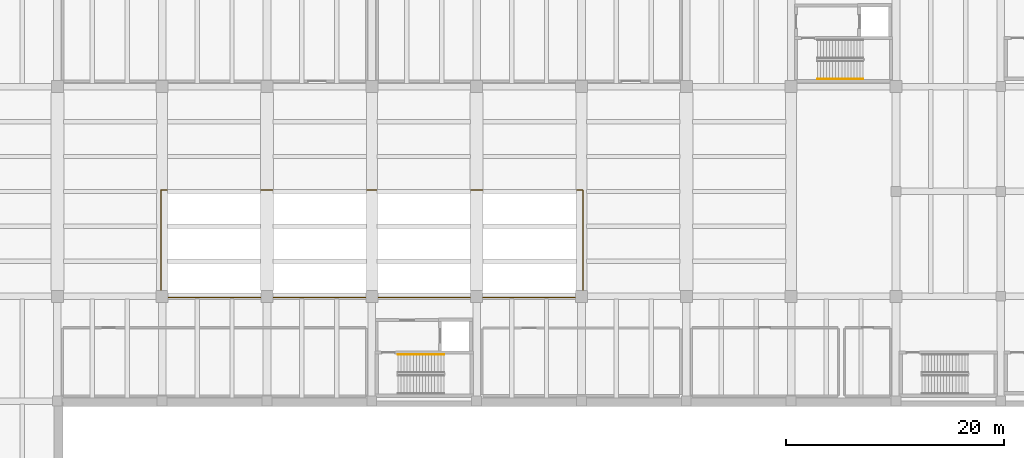
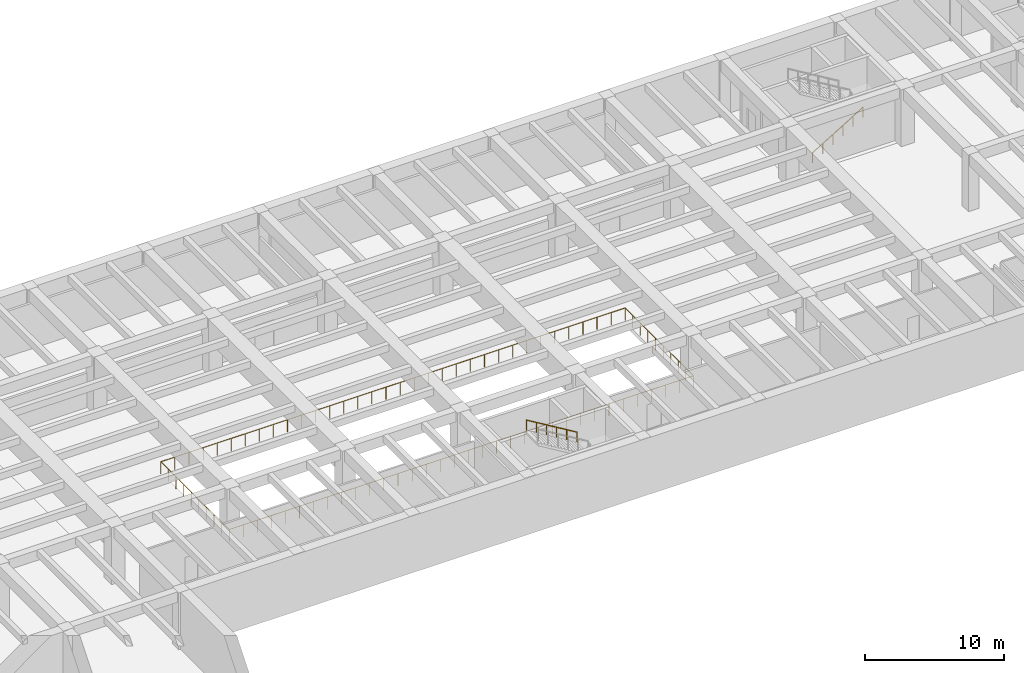
# One storey, part 16 of 19: 3 railings.
"""IFC4 building model written with IfcOpenShell, lengths in metres."""

from ifc_helpers import new_model, si_unit, direction, frame, origin, origin_2d, place, context, subcontext, project, spatial, circle, extrude, material, type_object, element, save


model = new_model("IFC4")

# Units and contexts
model_context = context("Model", 3, precision=1e-05, world=origin(), true_north=direction((0.0, 1.0)))
body_context = subcontext(model_context, "Body", "Model", "MODEL_VIEW")
ifc_project = project(units=[si_unit("LENGTHUNIT", "METRE"), si_unit("AREAUNIT", "SQUARE_METRE"), si_unit("VOLUMEUNIT", "CUBIC_METRE"), si_unit("PLANEANGLEUNIT", "RADIAN"), si_unit("MASSUNIT", "GRAM", prefix="KILO")], contexts=[model_context])

# Site, building, storey
site_placement = place(None, origin())
site = spatial("IfcSite", under=ifc_project, at=site_placement, CompositionType="ELEMENT")
building_placement = place(site_placement, origin())
building = spatial("IfcBuilding", under=site, at=building_placement, Name="Coralgate Yard Interchange", CompositionType="ELEMENT")
storey_placement = place(building_placement, frame((0.0, 0.0, -5.39990234375)))
storey = spatial("IfcBuildingStorey", under=building, at=storey_placement, Name="B1", CompositionType="ELEMENT", Elevation=-5.39990234375)

# Railings
ifc_material_1 = material(Name="Grade 316 marine stainless steel and toughened glass balustrade", Category="steel")
railing_type_1 = type_object("IfcRailingType", Name="RLG-GD1100", PredefinedType="BALUSTRADE", material=ifc_material_1)
railing_1_placement = place(storey_placement, frame((67.080078125, 47.8798828125, 0.0)))
element("IfcRailing", 1, at=railing_1_placement, inside=storey, type_object=railing_type_1, Name="B1 paid concourse platform lightwell balustrade", PredefinedType="BALUSTRADE", context=body_context, shape_type="SweptSolid", body=[
    extrude(circle(Radius=0.02392578125, at=origin_2d()), frame((0.00048828125, 0.0, 1.0810546875), z_axis=(1.0, 0.0, 0.0), x_axis=(0.0, 1.0, 0.0)), (0.0, 0.0, 1.0), 38.638916015625),
    extrude(circle(Radius=0.02392578125, at=origin_2d()), frame((38.639892578125, 0.00048828125, 1.0810546875), z_axis=(0.0, 1.0, 0.0), x_axis=(-1.0, 0.0, 0.0)), (0.0, 0.0, 1.0), 9.839111328125),
    extrude(circle(Radius=0.02392578125, at=origin_2d()), frame((38.639404296875, 9.840087890625, 1.0810546875), z_axis=(-1.0, 0.0, 0.0), x_axis=(0.0, -1.0, 0.0)), (0.0, 0.0, 1.0), 38.638916015625),
    extrude(circle(Radius=0.02392578125, at=origin_2d()), frame((0.0, 9.839599609375, 1.0810546875), z_axis=(0.0, -1.0, 0.0), x_axis=(1.0, 0.0, 0.0)), (0.0, 0.0, 1.0), 9.839111328125),
    extrude(circle(Radius=0.02099609375, at=origin_2d()), origin(), (0.0, 0.0, 1.0), 1.056396484375),
    extrude(circle(Radius=0.02099609375, at=origin_2d()), frame((1.1708984375, 0.0, 0.0)), (0.0, 0.0, 1.0), 1.056396484375),
    extrude(circle(Radius=0.02099609375, at=origin_2d()), frame((2.341796875, 0.0, 0.0)), (0.0, 0.0, 1.0), 1.056396484375),
    extrude(circle(Radius=0.02099609375, at=origin_2d()), frame((3.5126953125, 0.0, 0.0)), (0.0, 0.0, 1.0), 1.056396484375),
    extrude(circle(Radius=0.02099609375, at=origin_2d()), frame((4.68359375, 0.0, 0.0)), (0.0, 0.0, 1.0), 1.056396484375),
    extrude(circle(Radius=0.02099609375, at=origin_2d()), frame((5.8544921875, 0.0, 0.0)), (0.0, 0.0, 1.0), 1.056396484375),
    extrude(circle(Radius=0.02099609375, at=origin_2d()), frame((7.025390625, 0.0, 0.0)), (0.0, 0.0, 1.0), 1.056396484375),
    extrude(circle(Radius=0.02099609375, at=origin_2d()), frame((8.1962890625, 0.0, 0.0)), (0.0, 0.0, 1.0), 1.056396484375),
    extrude(circle(Radius=0.02099609375, at=origin_2d()), frame((9.3671875, 0.0, 0.0)), (0.0, 0.0, 1.0), 1.056396484375),
    extrude(circle(Radius=0.02099609375, at=origin_2d()), frame((10.5380859375, 0.0, 0.0)), (0.0, 0.0, 1.0), 1.056396484375),
    extrude(circle(Radius=0.02099609375, at=origin_2d()), frame((11.708984375, 0.0, 0.0)), (0.0, 0.0, 1.0), 1.056396484375),
    extrude(circle(Radius=0.02099609375, at=origin_2d()), frame((12.8798828125, 0.0, 0.0)), (0.0, 0.0, 1.0), 1.056396484375),
    extrude(circle(Radius=0.02099609375, at=origin_2d()), frame((14.05078125, 0.0, 0.0)), (0.0, 0.0, 1.0), 1.056396484375),
    extrude(circle(Radius=0.02099609375, at=origin_2d()), frame((15.2216796875, 0.0, 0.0)), (0.0, 0.0, 1.0), 1.056396484375),
    extrude(circle(Radius=0.02099609375, at=origin_2d()), frame((16.392578125, 0.0, 0.0)), (0.0, 0.0, 1.0), 1.056396484375),
    extrude(circle(Radius=0.02099609375, at=origin_2d()), frame((17.5634765625, 0.0, 0.0)), (0.0, 0.0, 1.0), 1.056396484375),
    extrude(circle(Radius=0.02099609375, at=origin_2d()), frame((18.734375, 0.0, 0.0)), (0.0, 0.0, 1.0), 1.056396484375),
    extrude(circle(Radius=0.02099609375, at=origin_2d()), frame((19.905517578125, 0.0, 0.0)), (0.0, 0.0, 1.0), 1.056396484375),
    extrude(circle(Radius=0.02099609375, at=origin_2d()), frame((21.076416015625, 0.0, 0.0)), (0.0, 0.0, 1.0), 1.056396484375),
    extrude(circle(Radius=0.02099609375, at=origin_2d()), frame((22.247314453125, 0.0, 0.0)), (0.0, 0.0, 1.0), 1.056396484375),
    extrude(circle(Radius=0.02099609375, at=origin_2d()), frame((23.418212890625, 0.0, 0.0)), (0.0, 0.0, 1.0), 1.056396484375),
    extrude(circle(Radius=0.02099609375, at=origin_2d()), frame((24.589111328125, 0.0, 0.0)), (0.0, 0.0, 1.0), 1.056396484375),
    extrude(circle(Radius=0.02099609375, at=origin_2d()), frame((25.760009765625, 0.0, 0.0)), (0.0, 0.0, 1.0), 1.056396484375),
    extrude(circle(Radius=0.02099609375, at=origin_2d()), frame((26.930908203125, 0.0, 0.0)), (0.0, 0.0, 1.0), 1.056396484375),
    extrude(circle(Radius=0.02099609375, at=origin_2d()), frame((28.101806640625, 0.0, 0.0)), (0.0, 0.0, 1.0), 1.056396484375),
    extrude(circle(Radius=0.02099609375, at=origin_2d()), frame((29.272705078125, 0.0, 0.0)), (0.0, 0.0, 1.0), 1.056396484375),
    extrude(circle(Radius=0.02099609375, at=origin_2d()), frame((30.443603515625, 0.0, 0.0)), (0.0, 0.0, 1.0), 1.056396484375),
    extrude(circle(Radius=0.02099609375, at=origin_2d()), frame((31.614501953125, 0.0, 0.0)), (0.0, 0.0, 1.0), 1.056396484375),
    extrude(circle(Radius=0.02099609375, at=origin_2d()), frame((32.785400390625, 0.0, 0.0)), (0.0, 0.0, 1.0), 1.056396484375),
    extrude(circle(Radius=0.02099609375, at=origin_2d()), frame((33.956298828125, 0.0, 0.0)), (0.0, 0.0, 1.0), 1.056396484375),
    extrude(circle(Radius=0.02099609375, at=origin_2d()), frame((35.127197265625, 0.0, 0.0)), (0.0, 0.0, 1.0), 1.056396484375),
    extrude(circle(Radius=0.02099609375, at=origin_2d()), frame((36.298095703125, 0.0, 0.0)), (0.0, 0.0, 1.0), 1.056396484375),
    extrude(circle(Radius=0.02099609375, at=origin_2d()), frame((37.468994140625, 0.0, 0.0)), (0.0, 0.0, 1.0), 1.056396484375),
    extrude(circle(Radius=0.02099609375, at=origin_2d()), frame((38.639892578125, 0.0, 0.0)), (0.0, 0.0, 1.0), 1.056396484375),
    extrude(circle(Radius=0.02099609375, at=origin_2d()), frame((38.639892578125, 1.09326171875, 0.0)), (0.0, 0.0, 1.0), 1.056396484375),
    extrude(circle(Radius=0.02099609375, at=origin_2d()), frame((38.639892578125, 2.186767578125, 0.0)), (0.0, 0.0, 1.0), 1.056396484375),
    extrude(circle(Radius=0.02099609375, at=origin_2d()), frame((38.639892578125, 3.280029296875, 0.0)), (0.0, 0.0, 1.0), 1.056396484375),
    extrude(circle(Radius=0.02099609375, at=origin_2d()), frame((38.639892578125, 4.373291015625, 0.0)), (0.0, 0.0, 1.0), 1.056396484375),
    extrude(circle(Radius=0.02099609375, at=origin_2d()), frame((38.639892578125, 5.466796875, 0.0)), (0.0, 0.0, 1.0), 1.056396484375),
    extrude(circle(Radius=0.02099609375, at=origin_2d()), frame((38.639892578125, 6.56005859375, 0.0)), (0.0, 0.0, 1.0), 1.056396484375),
    extrude(circle(Radius=0.02099609375, at=origin_2d()), frame((38.639892578125, 7.6533203125, 0.0)), (0.0, 0.0, 1.0), 1.056396484375),
    extrude(circle(Radius=0.02099609375, at=origin_2d()), frame((38.639892578125, 8.746826171875, 0.0)), (0.0, 0.0, 1.0), 1.056396484375),
    extrude(circle(Radius=0.02099609375, at=origin_2d()), frame((38.639892578125, 9.840087890625, 0.0)), (0.0, 0.0, 1.0), 1.056396484375),
    extrude(circle(Radius=0.02099609375, at=origin_2d()), frame((37.468994140625, 9.840087890625, 0.0)), (0.0, 0.0, 1.0), 1.056396484375),
    extrude(circle(Radius=0.02099609375, at=origin_2d()), frame((36.298095703125, 9.840087890625, 0.0)), (0.0, 0.0, 1.0), 1.056396484375),
    extrude(circle(Radius=0.02099609375, at=origin_2d()), frame((35.127197265625, 9.840087890625, 0.0)), (0.0, 0.0, 1.0), 1.056396484375),
    extrude(circle(Radius=0.02099609375, at=origin_2d()), frame((33.956298828125, 9.840087890625, 0.0)), (0.0, 0.0, 1.0), 1.056396484375),
    extrude(circle(Radius=0.02099609375, at=origin_2d()), frame((32.785400390625, 9.840087890625, 0.0)), (0.0, 0.0, 1.0), 1.056396484375),
    extrude(circle(Radius=0.02099609375, at=origin_2d()), frame((31.614501953125, 9.840087890625, 0.0)), (0.0, 0.0, 1.0), 1.056396484375),
    extrude(circle(Radius=0.02099609375, at=origin_2d()), frame((30.443603515625, 9.840087890625, 0.0)), (0.0, 0.0, 1.0), 1.056396484375),
    extrude(circle(Radius=0.02099609375, at=origin_2d()), frame((29.272705078125, 9.840087890625, 0.0)), (0.0, 0.0, 1.0), 1.056396484375),
    extrude(circle(Radius=0.02099609375, at=origin_2d()), frame((28.101806640625, 9.840087890625, 0.0)), (0.0, 0.0, 1.0), 1.056396484375),
    extrude(circle(Radius=0.02099609375, at=origin_2d()), frame((26.930908203125, 9.840087890625, 0.0)), (0.0, 0.0, 1.0), 1.056396484375),
    extrude(circle(Radius=0.02099609375, at=origin_2d()), frame((25.760009765625, 9.840087890625, 0.0)), (0.0, 0.0, 1.0), 1.056396484375),
    extrude(circle(Radius=0.02099609375, at=origin_2d()), frame((24.589111328125, 9.840087890625, 0.0)), (0.0, 0.0, 1.0), 1.056396484375),
    extrude(circle(Radius=0.02099609375, at=origin_2d()), frame((23.418212890625, 9.840087890625, 0.0)), (0.0, 0.0, 1.0), 1.056396484375),
    extrude(circle(Radius=0.02099609375, at=origin_2d()), frame((22.247314453125, 9.840087890625, 0.0)), (0.0, 0.0, 1.0), 1.056396484375),
    extrude(circle(Radius=0.02099609375, at=origin_2d()), frame((21.076416015625, 9.840087890625, 0.0)), (0.0, 0.0, 1.0), 1.056396484375),
    extrude(circle(Radius=0.02099609375, at=origin_2d()), frame((19.905517578125, 9.840087890625, 0.0)), (0.0, 0.0, 1.0), 1.056396484375),
    extrude(circle(Radius=0.02099609375, at=origin_2d()), frame((18.734375, 9.840087890625, 0.0)), (0.0, 0.0, 1.0), 1.056396484375),
    extrude(circle(Radius=0.02099609375, at=origin_2d()), frame((17.5634765625, 9.840087890625, 0.0)), (0.0, 0.0, 1.0), 1.056396484375),
    extrude(circle(Radius=0.02099609375, at=origin_2d()), frame((16.392578125, 9.840087890625, 0.0)), (0.0, 0.0, 1.0), 1.056396484375),
    extrude(circle(Radius=0.02099609375, at=origin_2d()), frame((15.2216796875, 9.840087890625, 0.0)), (0.0, 0.0, 1.0), 1.056396484375),
    extrude(circle(Radius=0.02099609375, at=origin_2d()), frame((14.05078125, 9.840087890625, 0.0)), (0.0, 0.0, 1.0), 1.056396484375),
    extrude(circle(Radius=0.02099609375, at=origin_2d()), frame((12.8798828125, 9.840087890625, 0.0)), (0.0, 0.0, 1.0), 1.056396484375),
    extrude(circle(Radius=0.02099609375, at=origin_2d()), frame((11.708984375, 9.840087890625, 0.0)), (0.0, 0.0, 1.0), 1.056396484375),
    extrude(circle(Radius=0.02099609375, at=origin_2d()), frame((10.5380859375, 9.840087890625, 0.0)), (0.0, 0.0, 1.0), 1.056396484375),
    extrude(circle(Radius=0.02099609375, at=origin_2d()), frame((9.3671875, 9.840087890625, 0.0)), (0.0, 0.0, 1.0), 1.056396484375),
    extrude(circle(Radius=0.02099609375, at=origin_2d()), frame((8.1962890625, 9.840087890625, 0.0)), (0.0, 0.0, 1.0), 1.056396484375),
    extrude(circle(Radius=0.02099609375, at=origin_2d()), frame((7.025390625, 9.840087890625, 0.0)), (0.0, 0.0, 1.0), 1.056396484375),
    extrude(circle(Radius=0.02099609375, at=origin_2d()), frame((5.8544921875, 9.840087890625, 0.0)), (0.0, 0.0, 1.0), 1.056396484375),
    extrude(circle(Radius=0.02099609375, at=origin_2d()), frame((4.68359375, 9.840087890625, 0.0)), (0.0, 0.0, 1.0), 1.056396484375),
    extrude(circle(Radius=0.02099609375, at=origin_2d()), frame((3.5126953125, 9.840087890625, 0.0)), (0.0, 0.0, 1.0), 1.056396484375),
    extrude(circle(Radius=0.02099609375, at=origin_2d()), frame((2.341796875, 9.840087890625, 0.0)), (0.0, 0.0, 1.0), 1.056396484375),
    extrude(circle(Radius=0.02099609375, at=origin_2d()), frame((1.1708984375, 9.840087890625, 0.0)), (0.0, 0.0, 1.0), 1.056396484375),
    extrude(circle(Radius=0.02099609375, at=origin_2d()), frame((0.0, 9.840087890625, 0.0)), (0.0, 0.0, 1.0), 1.056396484375),
    extrude(circle(Radius=0.02099609375, at=origin_2d()), frame((0.0, 8.746826171875, 0.0)), (0.0, 0.0, 1.0), 1.056396484375),
    extrude(circle(Radius=0.02099609375, at=origin_2d()), frame((0.0, 7.6533203125, 0.0)), (0.0, 0.0, 1.0), 1.056396484375),
    extrude(circle(Radius=0.02099609375, at=origin_2d()), frame((0.0, 6.56005859375, 0.0)), (0.0, 0.0, 1.0), 1.056396484375),
    extrude(circle(Radius=0.02099609375, at=origin_2d()), frame((0.0, 5.466796875, 0.0)), (0.0, 0.0, 1.0), 1.056396484375),
    extrude(circle(Radius=0.02099609375, at=origin_2d()), frame((0.0, 4.373291015625, 0.0)), (0.0, 0.0, 1.0), 1.056396484375),
    extrude(circle(Radius=0.02099609375, at=origin_2d()), frame((0.0, 3.280029296875, 0.0)), (0.0, 0.0, 1.0), 1.056396484375),
    extrude(circle(Radius=0.02099609375, at=origin_2d()), frame((0.0, 2.186767578125, 0.0)), (0.0, 0.0, 1.0), 1.056396484375),
    extrude(circle(Radius=0.02099609375, at=origin_2d()), frame((0.0, 1.09326171875, 0.0)), (0.0, 0.0, 1.0), 1.056396484375),
])
ifc_material_2 = material(Name="Grade 316 marine stainless steel", Category="steel")
railing_type_2 = type_object("IfcRailingType", Name="RLG-HR900", PredefinedType="HANDRAIL", material=ifc_material_2)
railing_2_placement = place(storey_placement, frame((93.0, 42.659912109375, 2.86865234375)))
element("IfcRailing", 2, at=railing_2_placement, inside=storey, type_object=railing_type_2, Name="B1 ST-06 stair handrail 2", PredefinedType="HANDRAIL", context=body_context, shape_type="SweptSolid", body=[
    extrude(circle(Radius=0.02392578125, at=origin_2d()), frame((0.0, 0.0, 0.8759765625), z_axis=(-0.856476492594, 0.0, 0.516186030065), x_axis=(0.0, -1.0, 0.0)), (0.0, 0.0, 1.0), 4.90380859375),
    extrude(circle(Radius=0.02099609375, at=origin_2d()), origin(), (0.0, 0.0, 1.0), 0.851318359375),
    extrude(circle(Radius=0.02099609375, at=origin_2d()), frame((-0.840087890625, 0.0, 0.50634765625)), (0.0, 0.0, 1.0), 0.851318359375),
    extrude(circle(Radius=0.02099609375, at=origin_2d()), frame((-1.679931640625, 0.0, 1.012451171875)), (0.0, 0.0, 1.0), 0.851318359375),
    extrude(circle(Radius=0.02099609375, at=origin_2d()), frame((-2.52001953125, 0.0, 1.518798828125)), (0.0, 0.0, 1.0), 0.851318359375),
    extrude(circle(Radius=0.02099609375, at=origin_2d()), frame((-3.35986328125, 0.0, 2.02490234375)), (0.0, 0.0, 1.0), 0.851318359375),
    extrude(circle(Radius=0.02099609375, at=origin_2d()), frame((-4.199951171875, 0.0, 2.53125)), (0.0, 0.0, 1.0), 0.851318359375),
])
railing_3_placement = place(storey_placement, frame((127.199951171875, 67.89990234375, 0.168701171875)))
element("IfcRailing", 3, at=railing_3_placement, inside=storey, type_object=railing_type_2, Name="B1 ST-07 stair handrail 1", PredefinedType="HANDRAIL", context=body_context, shape_type="SweptSolid", body=[
    extrude(circle(Radius=0.02392578125, at=origin_2d()), frame((0.0, 0.0, 0.8759765625), z_axis=(0.856476492594, 0.0, 0.516186030065), x_axis=(0.0, 1.0, 0.0)), (0.0, 0.0, 1.0), 4.90380859375),
    extrude(circle(Radius=0.02099609375, at=origin_2d()), origin(), (0.0, 0.0, 1.0), 0.851318359375),
    extrude(circle(Radius=0.02099609375, at=origin_2d()), frame((0.840087890625, 0.0, 0.50634765625)), (0.0, 0.0, 1.0), 0.851318359375),
    extrude(circle(Radius=0.02099609375, at=origin_2d()), frame((1.679931640625, 0.0, 1.012451171875)), (0.0, 0.0, 1.0), 0.851318359375),
    extrude(circle(Radius=0.02099609375, at=origin_2d()), frame((2.52001953125, 0.0, 1.518798828125)), (0.0, 0.0, 1.0), 0.851318359375),
    extrude(circle(Radius=0.02099609375, at=origin_2d()), frame((3.35986328125, 0.0, 2.02490234375)), (0.0, 0.0, 1.0), 0.851318359375),
    extrude(circle(Radius=0.02099609375, at=origin_2d()), frame((4.199951171875, 0.0, 2.53125)), (0.0, 0.0, 1.0), 0.851318359375),
])

save(model, "model.ifc")
